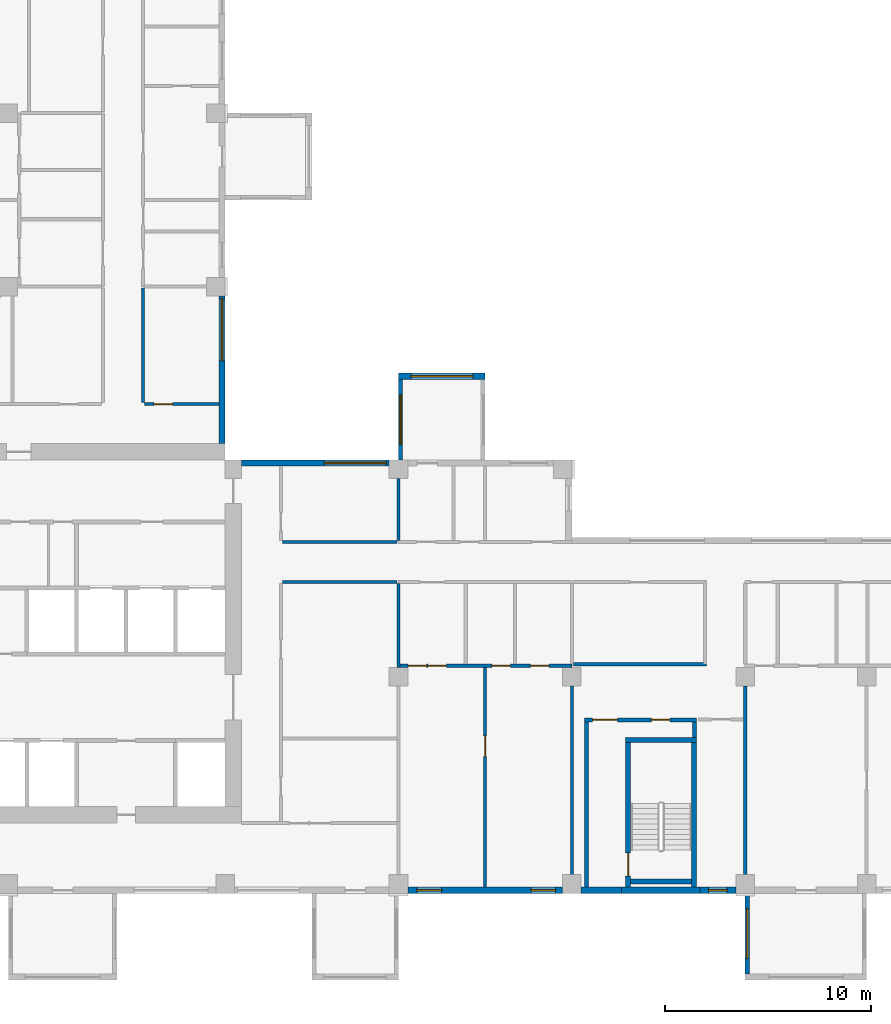
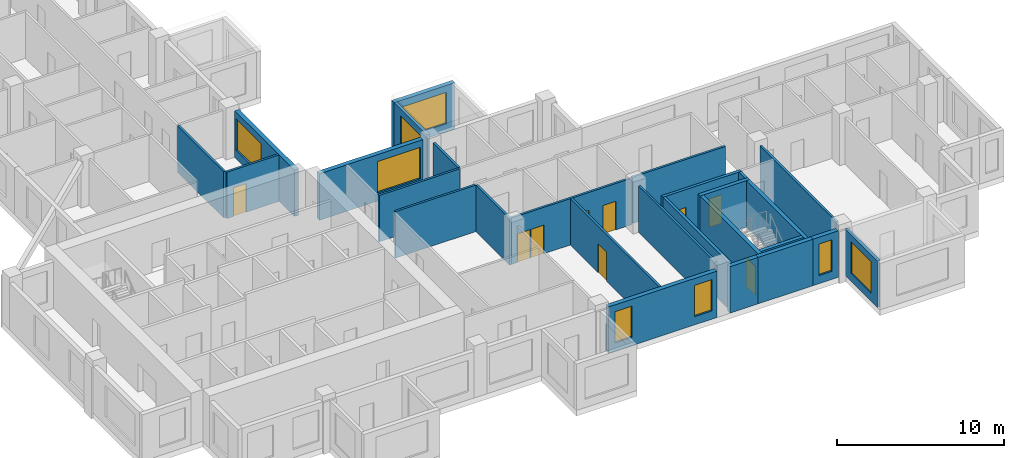
# One storey, part 4 of 12: 27 walls, 9 doors, 8 windows, 17 openings.
"""IFC4 building model written with IfcOpenShell, lengths in metres."""

from ifc_helpers import new_model, si_unit, direction, frame, frame_2d, origin, place, context, subcontext, project, spatial, rectangle, extrude, source, transform, mapped, material, layer, layer_set, type_object, element, fill, save


model = new_model("IFC4")

# Units and contexts
model_context = context("Model", 3, precision=1e-05, world=origin(), true_north=direction((0.0, 1.0)))
body_context = subcontext(model_context, "Body", "Model", "MODEL_VIEW")
ifc_project = project(units=[si_unit("LENGTHUNIT", "METRE"), si_unit("AREAUNIT", "SQUARE_METRE"), si_unit("VOLUMEUNIT", "CUBIC_METRE"), si_unit("PLANEANGLEUNIT", "RADIAN"), si_unit("MASSUNIT", "GRAM", prefix="KILO")], contexts=[model_context])

# Site, building, storey
site_placement = place(None, origin())
site = spatial("IfcSite", under=ifc_project, at=site_placement, CompositionType="ELEMENT")
building_placement = place(site_placement, origin())
building = spatial("IfcBuilding", under=site, at=building_placement, Name="Aurelian Terraces", CompositionType="ELEMENT")
storey_placement = place(building_placement, frame((0.0, 0.0, 181.6)))
storey = spatial("IfcBuildingStorey", under=building, at=storey_placement, Name="L39", CompositionType="ELEMENT", Elevation=181.6)

# Wall, opening, window
ifc_material_1 = material(Name="Concrete fc' 40 MPa", Category="concrete")
ifc_layer_1 = layer(ifc_material_1, 0.2)
ifc_layer_set_1 = layer_set([ifc_layer_1], Name="BOX BEARING WALL 200")
wall_type_1 = type_object("IfcWallType", Name="BOX BEARING WALL 200", PredefinedType="SOLIDWALL", material=ifc_layer_set_1)
wall_1_placement = place(storey_placement, frame((46.3, 0.0, 0.0), z_axis=(0.0, 0.0, 1.0), x_axis=(0.0, -1.0, 0.0)))
wall_1 = element("IfcWall", 1, at=wall_1_placement, inside=storey, type_object=wall_type_1, Name="Box return L39 J51.1", PredefinedType="SOLIDWALL", context=body_context, shape_type="SweptSolid", body=[
    extrude(rectangle(XDim=3.9, YDim=0.2, at=frame_2d((1.95, 0.0))), origin(), (0.0, 0.0, 1.0), 3.4),
])
shared_shape_1 = source(origin(), body_context, "Body", "SweptSolid", [
    extrude(rectangle(XDim=2.4, YDim=2.3, at=frame_2d((1.2, 1.15))), frame((0.0, 0.11, 0.0), z_axis=(0.0, -1.0, 0.0), x_axis=(1.0, 0.0, 0.0)), (0.0, 0.0, 1.0), 0.22),
])
opening_1_placement = place(wall_1_placement, frame((0.75, 0.0, 0.6)))
opening_1 = element("IfcOpeningElement", 2, at=opening_1_placement, cuts=wall_1, Name="Opening W2423", PredefinedType="OPENING", context=body_context, shape_type="MappedRepresentation", body=[
    mapped(shared_shape_1, transform((0.0, 0.0, 0.0), scale=1.0)),
])
ifc_material_2 = material(Name="Clear glazing", Category="glass")
window_type_1 = type_object("IfcWindowType", Name="W-2400x2300", PartitioningType="SINGLE_PANEL", PredefinedType="WINDOW", material=ifc_material_2)
shared_shape_2 = source(origin(), body_context, "Body", "SweptSolid", [
    extrude(rectangle(XDim=2.4, YDim=2.3, at=frame_2d((1.2, 1.15))), frame((0.0, 0.03, 0.0), z_axis=(0.0, -1.0, 0.0), x_axis=(1.0, 0.0, 0.0)), (0.0, 0.0, 1.0), 0.06),
])
window_1_placement = place(opening_1_placement, origin())
window_1 = element("IfcWindow", 3, at=window_1_placement, inside=storey, type_object=window_type_1, Name="Window L39 J51-S1", OverallHeight=2.3, OverallWidth=2.4, PartitioningType="SINGLE_PANEL", PredefinedType="WINDOW", context=body_context, shape_type="MappedRepresentation", body=[
    mapped(shared_shape_2, transform((0.0, 0.0, 0.0), scale=1.0)),
])
fill(opening_1, window_1)

ifc_layer_2 = layer(ifc_material_1, 0.3)
ifc_layer_set_2 = layer_set([ifc_layer_2], Name="BOX BEARING WALL 300")
wall_type_2 = type_object("IfcWallType", Name="BOX BEARING WALL 300", PredefinedType="SOLIDWALL", material=ifc_layer_set_2)
wall_2_placement = place(storey_placement, frame((33.6, 25.05, 0.0), z_axis=(0.0, 0.0, 1.0), x_axis=(-1.0, 0.0, 0.0)))
wall_2 = element("IfcWall", 4, at=wall_2_placement, inside=storey, type_object=wall_type_2, Name="Box wall L39 J52", PredefinedType="SOLIDWALL", context=body_context, shape_type="SweptSolid", body=[
    extrude(rectangle(XDim=4.2, YDim=0.3, at=frame_2d((2.1, 0.0))), origin(), (0.0, 0.0, 1.0), 3.4),
])
shared_shape_3 = source(origin(), body_context, "Body", "SweptSolid", [
    extrude(rectangle(XDim=3.0, YDim=2.3, at=frame_2d((1.5, 1.15))), frame((0.0, 0.16, 0.0), z_axis=(0.0, -1.0, 0.0), x_axis=(1.0, 0.0, 0.0)), (0.0, 0.0, 1.0), 0.32),
])
opening_2_placement = place(wall_2_placement, frame((0.6, 0.0, 0.6)))
opening_2 = element("IfcOpeningElement", 5, at=opening_2_placement, cuts=wall_2, Name="Opening W3023", PredefinedType="OPENING", context=body_context, shape_type="MappedRepresentation", body=[
    mapped(shared_shape_3, transform((0.0, 0.0, 0.0), scale=1.0)),
])
window_type_2 = type_object("IfcWindowType", Name="W-3000x2300", PartitioningType="SINGLE_PANEL", PredefinedType="WINDOW", material=ifc_material_2)
shared_shape_4 = source(origin(), body_context, "Body", "SweptSolid", [
    extrude(rectangle(XDim=3.0, YDim=2.3, at=frame_2d((1.5, 1.15))), frame((0.0, 0.03, 0.0), z_axis=(0.0, -1.0, 0.0), x_axis=(1.0, 0.0, 0.0)), (0.0, 0.0, 1.0), 0.06),
])
window_2_placement = place(opening_2_placement, origin())
window_2 = element("IfcWindow", 6, at=window_2_placement, inside=storey, type_object=window_type_2, Name="Window L39 J52-F1", OverallHeight=2.3, OverallWidth=3.0, PartitioningType="SINGLE_PANEL", PredefinedType="WINDOW", context=body_context, shape_type="MappedRepresentation", body=[
    mapped(shared_shape_4, transform((0.0, 0.0, 0.0), scale=1.0)),
])
fill(opening_2, window_2)

ifc_material_3 = material(Name="Terracotta rainscreen cladding", Category="masonry")
ifc_layer_3 = layer(ifc_material_3, 0.3)
ifc_layer_set_3 = layer_set([ifc_layer_3], Name="EW-300")
wall_type_3 = type_object("IfcWallType", Name="EW-300", PredefinedType="STANDARD", material=ifc_layer_set_3)
shared_shape_5 = source(origin(), body_context, "Body", "SweptSolid", [
    extrude(rectangle(XDim=7.15, YDim=0.3, at=frame_2d((3.575, 0.0))), origin(), (0.0, 0.0, 1.0), 3.4),
])
wall_3_placement = place(storey_placement, frame((28.95, 20.85, 0.0), z_axis=(0.0, 0.0, 1.0), x_axis=(-1.0, 0.0, 0.0)))
wall_3 = element("IfcWall", 7, at=wall_3_placement, inside=storey, type_object=wall_type_3, Name="External wall L39 F07.17", PredefinedType="STANDARD", context=body_context, shape_type="MappedRepresentation", body=[
    mapped(shared_shape_5, transform((0.0, 0.0, 0.0), scale=1.0)),
])
opening_3_placement = place(wall_3_placement, frame((0.15, 0.0, 0.6)))
opening_3 = element("IfcOpeningElement", 8, at=opening_3_placement, cuts=wall_3, Name="Opening W3023", PredefinedType="OPENING", context=body_context, shape_type="MappedRepresentation", body=[
    mapped(shared_shape_3, transform((0.0, 0.0, 0.0), scale=1.0)),
])
window_3_placement = place(opening_3_placement, origin())
window_3 = element("IfcWindow", 9, at=window_3_placement, inside=storey, type_object=window_type_2, Name="Window L39 L39-F07-17-0", OverallHeight=2.3, OverallWidth=3.0, PartitioningType="SINGLE_PANEL", PredefinedType="WINDOW", context=body_context, shape_type="MappedRepresentation", body=[
    mapped(shared_shape_4, transform((0.0, 0.0, 0.0), scale=1.0)),
])
fill(opening_3, window_3)

wall_4_placement = place(storey_placement, frame((20.85, 21.8, 0.0), z_axis=(0.0, 0.0, 1.0), x_axis=(0.0, 1.0, 0.0)))
wall_4 = element("IfcWall", 10, at=wall_4_placement, inside=storey, type_object=wall_type_3, Name="External wall L39 F08.18", PredefinedType="STANDARD", context=body_context, shape_type="MappedRepresentation", body=[
    mapped(shared_shape_5, transform((0.0, 0.0, 0.0), scale=1.0)),
])
opening_4_placement = place(wall_4_placement, frame((4.0, 0.0, 0.6)))
opening_4 = element("IfcOpeningElement", 11, at=opening_4_placement, cuts=wall_4, Name="Opening W3023", PredefinedType="OPENING", context=body_context, shape_type="MappedRepresentation", body=[
    mapped(shared_shape_3, transform((0.0, 0.0, 0.0), scale=1.0)),
])
window_4_placement = place(opening_4_placement, origin())
window_4 = element("IfcWindow", 12, at=window_4_placement, inside=storey, type_object=window_type_2, Name="Window L39 L39-F08-18-1", OverallHeight=2.3, OverallWidth=3.0, PartitioningType="SINGLE_PANEL", PredefinedType="WINDOW", context=body_context, shape_type="MappedRepresentation", body=[
    mapped(shared_shape_4, transform((0.0, 0.0, 0.0), scale=1.0)),
])
fill(opening_4, window_4)

# Wall, openings, windows
shared_shape_6 = source(origin(), body_context, "Body", "SweptSolid", [
    extrude(rectangle(XDim=7.5, YDim=0.3, at=frame_2d((3.75, 0.0))), origin(), (0.0, 0.0, 1.0), 3.4),
])
wall_5_placement = place(storey_placement, frame((29.85, 0.15, 0.0), z_axis=(0.0, 0.0, 1.0), x_axis=(1.0, 0.0, 0.0)))
wall_5 = element("IfcWall", 13, at=wall_5_placement, inside=storey, type_object=wall_type_3, Name="External wall L39 F01.4", PredefinedType="STANDARD", context=body_context, shape_type="MappedRepresentation", body=[
    mapped(shared_shape_6, transform((0.0, 0.0, 0.0), scale=1.0)),
])
shared_shape_7 = source(origin(), body_context, "Body", "SweptSolid", [
    extrude(rectangle(XDim=1.2, YDim=2.3, at=frame_2d((0.6, 1.15))), frame((0.0, 0.16, 0.0), z_axis=(0.0, -1.0, 0.0), x_axis=(1.0, 0.0, 0.0)), (0.0, 0.0, 1.0), 0.32),
])
opening_5_placement = place(wall_5_placement, frame((0.4375, 0.0, 0.6)))
opening_5 = element("IfcOpeningElement", 14, at=opening_5_placement, cuts=wall_5, Name="Opening W1223", PredefinedType="OPENING", context=body_context, shape_type="MappedRepresentation", body=[
    mapped(shared_shape_7, transform((0.0, 0.0, 0.0), scale=1.0)),
])
opening_6_placement = place(wall_5_placement, frame((5.9625, 0.0, 0.6)))
opening_6 = element("IfcOpeningElement", 15, at=opening_6_placement, cuts=wall_5, Name="Opening W1223", PredefinedType="OPENING", context=body_context, shape_type="MappedRepresentation", body=[
    mapped(shared_shape_7, transform((0.0, 0.0, 0.0), scale=1.0)),
])
window_type_3 = type_object("IfcWindowType", Name="W-1200x2300", PartitioningType="SINGLE_PANEL", PredefinedType="WINDOW", material=ifc_material_2)
shared_shape_8 = source(origin(), body_context, "Body", "SweptSolid", [
    extrude(rectangle(XDim=1.2, YDim=2.3, at=frame_2d((0.6, 1.15))), frame((0.0, 0.03, 0.0), z_axis=(0.0, -1.0, 0.0), x_axis=(1.0, 0.0, 0.0)), (0.0, 0.0, 1.0), 0.06),
])
window_5_placement = place(opening_5_placement, origin())
window_5 = element("IfcWindow", 16, at=window_5_placement, inside=storey, type_object=window_type_3, Name="Window L39 L39-F01-04-0", OverallHeight=2.3, OverallWidth=1.2, PartitioningType="SINGLE_PANEL", PredefinedType="WINDOW", context=body_context, shape_type="MappedRepresentation", body=[
    mapped(shared_shape_8, transform((0.0, 0.0, 0.0), scale=1.0)),
])
fill(opening_5, window_5)
window_6_placement = place(opening_6_placement, origin())
window_6 = element("IfcWindow", 17, at=window_6_placement, inside=storey, type_object=window_type_3, Name="Window L39 L39-F01-04-1", OverallHeight=2.3, OverallWidth=1.2, PartitioningType="SINGLE_PANEL", PredefinedType="WINDOW", context=body_context, shape_type="MappedRepresentation", body=[
    mapped(shared_shape_8, transform((0.0, 0.0, 0.0), scale=1.0)),
])
fill(opening_6, window_6)

# Wall, opening, window
shared_shape_9 = source(origin(), body_context, "Body", "SweptSolid", [
    extrude(rectangle(XDim=3.9, YDim=0.2, at=frame_2d((1.95, 0.0))), origin(), (0.0, 0.0, 1.0), 3.4),
])
wall_6_placement = place(storey_placement, frame((29.5, 21.0, 0.0), z_axis=(0.0, 0.0, 1.0), x_axis=(0.0, 1.0, 0.0)))
wall_6 = element("IfcWall", 18, at=wall_6_placement, inside=storey, type_object=wall_type_1, Name="Box return L39 J52.2", PredefinedType="SOLIDWALL", context=body_context, shape_type="MappedRepresentation", body=[
    mapped(shared_shape_9, transform((0.0, 0.0, 0.0), scale=1.0)),
])
opening_7_placement = place(wall_6_placement, frame((0.75, 0.0, 0.6)))
opening_7 = element("IfcOpeningElement", 19, at=opening_7_placement, cuts=wall_6, Name="Opening W2423", PredefinedType="OPENING", context=body_context, shape_type="MappedRepresentation", body=[
    mapped(shared_shape_1, transform((0.0, 0.0, 0.0), scale=1.0)),
])
window_7_placement = place(opening_7_placement, origin())
window_7 = element("IfcWindow", 20, at=window_7_placement, inside=storey, type_object=window_type_1, Name="Window L39 J52-S2", OverallHeight=2.3, OverallWidth=2.4, PartitioningType="SINGLE_PANEL", PredefinedType="WINDOW", context=body_context, shape_type="MappedRepresentation", body=[
    mapped(shared_shape_2, transform((0.0, 0.0, 0.0), scale=1.0)),
])
fill(opening_7, window_7)

# Walls
shared_shape_10 = source(origin(), body_context, "Body", "SweptSolid", [
    extrude(rectangle(XDim=1.95, YDim=0.3, at=frame_2d((0.975, 0.0))), origin(), (0.0, 0.0, 1.0), 3.4),
])
wall_7_placement = place(storey_placement, frame((38.25, 0.15, 0.0), z_axis=(0.0, 0.0, 1.0), x_axis=(1.0, 0.0, 0.0)))
element("IfcWall", 21, at=wall_7_placement, inside=storey, type_object=wall_type_3, Name="External wall L39 F01.5", PredefinedType="STANDARD", context=body_context, shape_type="MappedRepresentation", body=[
    mapped(shared_shape_10, transform((0.0, 0.0, 0.0), scale=1.0)),
])
ifc_layer_4 = layer(ifc_material_1, 0.3)
ifc_layer_set_4 = layer_set([ifc_layer_4], Name="STAIR BAY WALL 300")
wall_type_4 = type_object("IfcWallType", Name="STAIR BAY WALL 300", PredefinedType="SOLIDWALL", material=ifc_layer_set_4)
shared_shape_11 = source(origin(), body_context, "Body", "SweptSolid", [
    extrude(rectangle(XDim=3.8, YDim=0.3, at=frame_2d((1.9, 0.0))), origin(), (0.0, 0.0, 1.0), 3.4),
])
wall_8_placement = place(storey_placement, frame((40.2, 0.15, 0.0), z_axis=(0.0, 0.0, 1.0), x_axis=(1.0, 0.0, 0.0)))
element("IfcWall", 22, at=wall_8_placement, inside=storey, type_object=wall_type_4, Name="Stair bay wall L39 F01.5", PredefinedType="SOLIDWALL", context=body_context, shape_type="MappedRepresentation", body=[
    mapped(shared_shape_11, transform((0.0, 0.0, 0.0), scale=1.0)),
])

# Wall, opening, window
shared_shape_12 = source(origin(), body_context, "Body", "SweptSolid", [
    extrude(rectangle(XDim=1.75, YDim=0.3, at=frame_2d((0.875, 0.0))), origin(), (0.0, 0.0, 1.0), 3.4),
])
wall_9_placement = place(storey_placement, frame((44.0, 0.15, 0.0), z_axis=(0.0, 0.0, 1.0), x_axis=(1.0, 0.0, 0.0)))
wall_9 = element("IfcWall", 23, at=wall_9_placement, inside=storey, type_object=wall_type_3, Name="External wall L39 F01.5", PredefinedType="STANDARD", context=body_context, shape_type="MappedRepresentation", body=[
    mapped(shared_shape_12, transform((0.0, 0.0, 0.0), scale=1.0)),
])
shared_shape_13 = source(origin(), body_context, "Body", "SweptSolid", [
    extrude(rectangle(XDim=0.9, YDim=2.3, at=frame_2d((0.45, 1.15))), frame((0.0, 0.16, 0.0), z_axis=(0.0, -1.0, 0.0), x_axis=(1.0, 0.0, 0.0)), (0.0, 0.0, 1.0), 0.32),
])
opening_8_placement = place(wall_9_placement, frame((0.425, 0.0, 0.6)))
opening_8 = element("IfcOpeningElement", 24, at=opening_8_placement, cuts=wall_9, Name="Opening W0923", PredefinedType="OPENING", context=body_context, shape_type="MappedRepresentation", body=[
    mapped(shared_shape_13, transform((0.0, 0.0, 0.0), scale=1.0)),
])
window_type_4 = type_object("IfcWindowType", Name="W-900x2300", PartitioningType="SINGLE_PANEL", PredefinedType="WINDOW", material=ifc_material_2)
shared_shape_14 = source(origin(), body_context, "Body", "SweptSolid", [
    extrude(rectangle(XDim=0.9, YDim=2.3, at=frame_2d((0.45, 1.15))), frame((0.0, 0.03, 0.0), z_axis=(0.0, -1.0, 0.0), x_axis=(1.0, 0.0, 0.0)), (0.0, 0.0, 1.0), 0.06),
])
window_8_placement = place(opening_8_placement, origin())
window_8 = element("IfcWindow", 25, at=window_8_placement, inside=storey, type_object=window_type_4, Name="Window L39 L39-F01-05-P2", OverallHeight=2.3, OverallWidth=0.9, PartitioningType="SINGLE_PANEL", PredefinedType="WINDOW", context=body_context, shape_type="MappedRepresentation", body=[
    mapped(shared_shape_14, transform((0.0, 0.0, 0.0), scale=1.0)),
])
fill(opening_8, window_8)

# Wall, opening, door
ifc_layer_5 = layer(ifc_material_1, 0.25)
ifc_layer_set_5 = layer_set([ifc_layer_5], Name="Stair enclosure wall 250")
wall_type_5 = type_object("IfcWallType", Name="Stair enclosure wall 250", PredefinedType="SOLIDWALL", material=ifc_layer_set_5)
shared_shape_15 = source(origin(), body_context, "Body", "SweptSolid", [
    extrude(rectangle(XDim=7.0, YDim=0.25, at=frame_2d((3.5, 0.0))), origin(), (0.0, 0.0, 1.0), 3.4),
])
wall_10_placement = place(storey_placement, frame((40.525, 0.3, 0.0), z_axis=(0.0, 0.0, 1.0), x_axis=(0.0, 1.0, 0.0)))
wall_10 = element("IfcWall", 26, at=wall_10_placement, inside=storey, type_object=wall_type_5, Name="L39 core wall ST-S2-W", PredefinedType="SOLIDWALL", context=body_context, shape_type="MappedRepresentation", body=[
    mapped(shared_shape_15, transform((0.0, 0.0, 0.0), scale=1.0)),
])
shared_shape_16 = source(origin(), body_context, "Body", "SweptSolid", [
    extrude(rectangle(XDim=1.1, YDim=2.1, at=frame_2d((0.55, 1.05))), frame((0.0, 0.135, 0.0), z_axis=(0.0, -1.0, 0.0), x_axis=(1.0, 0.0, 0.0)), (0.0, 0.0, 1.0), 0.27),
])
opening_9_placement = place(wall_10_placement, frame((0.55, 0.0, 0.0)))
opening_9 = element("IfcOpeningElement", 27, at=opening_9_placement, cuts=wall_10, Name="Opening 64215", PredefinedType="OPENING", context=body_context, shape_type="MappedRepresentation", body=[
    mapped(shared_shape_16, transform((0.0, 0.0, 0.0), scale=1.0)),
])
ifc_material_4 = material(Name="Steel door leaf", Category="steel")
door_type_1 = type_object("IfcDoorType", Name="Core fire door 1100x2100 right", OperationType="SINGLE_SWING_RIGHT", PredefinedType="DOOR", material=ifc_material_4)
shared_shape_17 = source(origin(), body_context, "Body", "SweptSolid", [
    extrude(rectangle(XDim=1.1, YDim=2.1, at=frame_2d((0.55, 1.05))), frame((0.0, 0.025, 0.0), z_axis=(0.0, -1.0, 0.0), x_axis=(1.0, 0.0, 0.0)), (0.0, 0.0, 1.0), 0.05),
])
door_1_placement = place(opening_9_placement, origin())
door_1 = element("IfcDoor", 28, at=door_1_placement, inside=storey, type_object=door_type_1, Name="Stair door 64215", OperationType="SINGLE_SWING_RIGHT", OverallHeight=2.1, OverallWidth=1.1, PredefinedType="DOOR", context=body_context, shape_type="MappedRepresentation", body=[
    mapped(shared_shape_17, transform((0.0, 0.0, 0.0), scale=1.0)),
])
fill(opening_9, door_1)

# Walls
wall_11_placement = place(storey_placement, frame((43.725, 0.3, 0.0), z_axis=(0.0, 0.0, 1.0), x_axis=(0.0, 1.0, 0.0)))
element("IfcWall", 29, at=wall_11_placement, inside=storey, type_object=wall_type_5, Name="L39 core wall ST-S2-E", PredefinedType="SOLIDWALL", context=body_context, shape_type="MappedRepresentation", body=[
    mapped(shared_shape_15, transform((0.0, 0.0, 0.0), scale=1.0)),
])
shared_shape_18 = source(origin(), body_context, "Body", "SweptSolid", [
    extrude(rectangle(XDim=3.45, YDim=0.25, at=frame_2d((1.725, 0.0))), origin(), (0.0, 0.0, 1.0), 3.4),
])
wall_12_placement = place(storey_placement, frame((40.4, 7.425, 0.0), z_axis=(0.0, 0.0, 1.0), x_axis=(1.0, 0.0, 0.0)))
element("IfcWall", 30, at=wall_12_placement, inside=storey, type_object=wall_type_5, Name="L39 core wall ST-S2-N", PredefinedType="SOLIDWALL", context=body_context, shape_type="MappedRepresentation", body=[
    mapped(shared_shape_18, transform((0.0, 0.0, 0.0), scale=1.0)),
])
shared_shape_19 = source(origin(), body_context, "Body", "SweptSolid", [
    extrude(rectangle(XDim=2.95, YDim=0.25, at=frame_2d((1.475, 0.0))), origin(), (0.0, 0.0, 1.0), 3.4),
])
wall_13_placement = place(storey_placement, frame((40.65, 0.575, 0.0), z_axis=(0.0, 0.0, 1.0), x_axis=(1.0, 0.0, 0.0)))
element("IfcWall", 31, at=wall_13_placement, inside=storey, type_object=wall_type_5, Name="L39 core wall ST-S2-SS", PredefinedType="SOLIDWALL", context=body_context, shape_type="MappedRepresentation", body=[
    mapped(shared_shape_19, transform((0.0, 0.0, 0.0), scale=1.0)),
])

# Wall, openings, doors
ifc_material_5 = material(Name="Gypsum board on steel studs", Category="steel")
ifc_layer_6 = layer(ifc_material_5, 0.2)
ifc_layer_set_6 = layer_set([ifc_layer_6], Name="Core partition 200")
wall_type_6 = type_object("IfcWallType", Name="Core partition 200", PredefinedType="PARTITIONING", material=ifc_layer_set_6)
shared_shape_20 = source(origin(), body_context, "Body", "SweptSolid", [
    extrude(rectangle(XDim=5.45, YDim=0.2, at=frame_2d((2.725, 0.0))), origin(), (0.0, 0.0, 1.0), 3.4),
])
wall_14_placement = place(storey_placement, frame((38.4, 8.4, 0.0), z_axis=(0.0, 0.0, 1.0), x_axis=(1.0, 0.0, 0.0)))
wall_14 = element("IfcWall", 32, at=wall_14_placement, inside=storey, type_object=wall_type_6, Name="L39 core wall ST-S2-BN", PredefinedType="PARTITIONING", context=body_context, shape_type="MappedRepresentation", body=[
    mapped(shared_shape_20, transform((0.0, 0.0, 0.0), scale=1.0)),
])
shared_shape_21 = source(origin(), body_context, "Body", "SweptSolid", [
    extrude(rectangle(XDim=1.2, YDim=2.1, at=frame_2d((0.6, 1.05))), frame((0.0, 0.11, 0.0), z_axis=(0.0, -1.0, 0.0), x_axis=(1.0, 0.0, 0.0)), (0.0, 0.0, 1.0), 0.22),
])
opening_10_placement = place(wall_14_placement, frame((0.4, 0.0, 0.0)))
opening_10 = element("IfcOpeningElement", 33, at=opening_10_placement, cuts=wall_14, Name="Opening 64216", PredefinedType="OPENING", context=body_context, shape_type="MappedRepresentation", body=[
    mapped(shared_shape_21, transform((0.0, 0.0, 0.0), scale=1.0)),
])
shared_shape_22 = source(origin(), body_context, "Body", "SweptSolid", [
    extrude(rectangle(XDim=0.9, YDim=2.1, at=frame_2d((0.45, 1.05))), frame((0.0, 0.11, 0.0), z_axis=(0.0, -1.0, 0.0), x_axis=(1.0, 0.0, 0.0)), (0.0, 0.0, 1.0), 0.22),
])
opening_11_placement = place(wall_14_placement, frame((3.25, 0.0, 0.0)))
opening_11 = element("IfcOpeningElement", 34, at=opening_11_placement, cuts=wall_14, Name="Opening 64217", PredefinedType="OPENING", context=body_context, shape_type="MappedRepresentation", body=[
    mapped(shared_shape_22, transform((0.0, 0.0, 0.0), scale=1.0)),
])
door_type_2 = type_object("IfcDoorType", Name="Core riser door 900x2100 right", OperationType="SINGLE_SWING_RIGHT", PredefinedType="DOOR", material=ifc_material_4)
shared_shape_23 = source(origin(), body_context, "Body", "SweptSolid", [
    extrude(rectangle(XDim=0.9, YDim=2.1, at=frame_2d((0.45, 1.05))), frame((0.0, 0.025, 0.0), z_axis=(0.0, -1.0, 0.0), x_axis=(1.0, 0.0, 0.0)), (0.0, 0.0, 1.0), 0.05),
])
door_2_placement = place(opening_11_placement, origin())
door_2 = element("IfcDoor", 35, at=door_2_placement, inside=storey, type_object=door_type_2, Name="Riser door 64217", OperationType="SINGLE_SWING_RIGHT", OverallHeight=2.1, OverallWidth=0.9, PredefinedType="DOOR", context=body_context, shape_type="MappedRepresentation", body=[
    mapped(shared_shape_23, transform((0.0, 0.0, 0.0), scale=1.0)),
])
fill(opening_11, door_2)
door_type_3 = type_object("IfcDoorType", Name="Core fire door 1200x2100", OperationType="SINGLE_SWING_LEFT", PredefinedType="DOOR", material=ifc_material_4)
shared_shape_24 = source(origin(), body_context, "Body", "SweptSolid", [
    extrude(rectangle(XDim=1.2, YDim=2.1, at=frame_2d((0.6, 1.05))), frame((0.0, 0.025, 0.0), z_axis=(0.0, -1.0, 0.0), x_axis=(1.0, 0.0, 0.0)), (0.0, 0.0, 1.0), 0.05),
])
door_3_placement = place(opening_10_placement, origin())
door_3 = element("IfcDoor", 36, at=door_3_placement, inside=storey, type_object=door_type_3, Name="Vestibule door 64216", OperationType="SINGLE_SWING_LEFT", OverallHeight=2.1, OverallWidth=1.2, PredefinedType="DOOR", context=body_context, shape_type="MappedRepresentation", body=[
    mapped(shared_shape_24, transform((0.0, 0.0, 0.0), scale=1.0)),
])
fill(opening_10, door_3)

# Walls
shared_shape_25 = source(origin(), body_context, "Body", "SweptSolid", [
    extrude(rectangle(XDim=0.75, YDim=0.2, at=frame_2d((0.375, 0.0))), origin(), (0.0, 0.0, 1.0), 3.4),
])
wall_15_placement = place(storey_placement, frame((43.75, 7.55, 0.0), z_axis=(0.0, 0.0, 1.0), x_axis=(0.0, 1.0, 0.0)))
element("IfcWall", 37, at=wall_15_placement, inside=storey, type_object=wall_type_6, Name="L39 core wall ST-S2-RE", PredefinedType="PARTITIONING", context=body_context, shape_type="MappedRepresentation", body=[
    mapped(shared_shape_25, transform((0.0, 0.0, 0.0), scale=1.0)),
])
shared_shape_26 = source(origin(), body_context, "Body", "SweptSolid", [
    extrude(rectangle(XDim=8.0, YDim=0.2, at=frame_2d((4.0, 0.0))), origin(), (0.0, 0.0, 1.0), 3.4),
])
wall_16_placement = place(storey_placement, frame((38.5, 0.3, 0.0), z_axis=(0.0, 0.0, 1.0), x_axis=(0.0, 1.0, 0.0)))
element("IfcWall", 38, at=wall_16_placement, inside=storey, type_object=wall_type_6, Name="L39 core wall ST-S2-VW", PredefinedType="PARTITIONING", context=body_context, shape_type="MappedRepresentation", body=[
    mapped(shared_shape_26, transform((0.0, 0.0, 0.0), scale=1.0)),
])
ifc_layer_7 = layer(ifc_material_5, 0.15)
ifc_layer_set_7 = layer_set([ifc_layer_7], Name="Fire partition 150")
wall_type_7 = type_object("IfcWallType", Name="Fire partition 150", PredefinedType="PARTITIONING", material=ifc_layer_set_7)
shared_shape_27 = source(origin(), body_context, "Body", "SweptSolid", [
    extrude(rectangle(XDim=5.55, YDim=0.15, at=frame_2d((2.775, 0.0))), origin(), (0.0, 0.0, 1.0), 3.4),
])
for number, where, z_axis, x_axis, name in (
    (39, (29.325, 15.075, 0.0), (0.0, 0.0, 1.0), (-1.0, 0.0, 0.0), "Corridor wall"),
    (40, (23.775, 17.025, 0.0), (0.0, 0.0, 1.0), (1.0, 0.0, 0.0), "Corridor wall"),
    (41, (17.025, 29.325, 0.0), (0.0, 0.0, 1.0), (0.0, -1.0, 0.0), "Corridor wall"),
):
    element("IfcWall", number, at=place(storey_placement, frame(where, z_axis=z_axis, x_axis=x_axis)), inside=storey, type_object=wall_type_7, Name=name, PredefinedType="PARTITIONING", context=body_context, shape_type="MappedRepresentation", body=[
        mapped(shared_shape_27, transform((0.0, 0.0, 0.0), scale=1.0)),
    ])
ifc_layer_8 = layer(ifc_material_5, 0.15)
ifc_layer_set_8 = layer_set([ifc_layer_8], Name="Partition 150")
wall_type_8 = type_object("IfcWallType", Name="Partition 150", PredefinedType="PARTITIONING", material=ifc_layer_set_8)
shared_shape_28 = source(origin(), body_context, "Body", "SweptSolid", [
    extrude(rectangle(XDim=6.45, YDim=0.15, at=frame_2d((3.225, 0.0))), origin(), (0.0, 0.0, 1.0), 3.4),
])
wall_17_placement = place(storey_placement, frame((37.875, 11.1, 0.0), z_axis=(0.0, 0.0, 1.0), x_axis=(1.0, 0.0, 0.0)))
element("IfcWall", 42, at=wall_17_placement, inside=storey, type_object=wall_type_8, Name="Partition", PredefinedType="PARTITIONING", context=body_context, shape_type="MappedRepresentation", body=[
    mapped(shared_shape_28, transform((0.0, 0.0, 0.0), scale=1.0)),
])
shared_shape_29 = source(origin(), body_context, "Body", "SweptSolid", [
    extrude(rectangle(XDim=9.152, YDim=0.15, at=frame_2d((4.576, 0.0))), origin(), (0.0, 0.0, 1.0), 3.4),
])
for number, where, z_axis, x_axis, name in (
    (43, (37.8, 0.899, 0.0), (0.0, 0.0, 1.0), (0.0, 1.0, 0.0), "Party wall"),
    (44, (46.2, 0.899, 0.0), (0.0, 0.0, 1.0), (0.0, 1.0, 0.0), "Party wall"),
):
    element("IfcWall", number, at=place(storey_placement, frame(where, z_axis=z_axis, x_axis=x_axis)), inside=storey, type_object=wall_type_7, Name=name, PredefinedType="PARTITIONING", context=body_context, shape_type="MappedRepresentation", body=[
        mapped(shared_shape_29, transform((0.0, 0.0, 0.0), scale=1.0)),
    ])

# Wall, opening, door
shared_shape_30 = source(origin(), body_context, "Body", "SweptSolid", [
    extrude(rectangle(XDim=3.6, YDim=0.15, at=frame_2d((1.8, 0.0))), origin(), (0.0, 0.0, 1.0), 3.4),
])
wall_18_placement = place(storey_placement, frame((17.1, 23.7, 0.0), z_axis=(0.0, 0.0, 1.0), x_axis=(1.0, 0.0, 0.0)))
wall_18 = element("IfcWall", 45, at=wall_18_placement, inside=storey, type_object=wall_type_8, Name="Partition", PredefinedType="PARTITIONING", context=body_context, shape_type="MappedRepresentation", body=[
    mapped(shared_shape_30, transform((0.0, 0.0, 0.0), scale=1.0)),
])
shared_shape_31 = source(origin(), body_context, "Body", "SweptSolid", [
    extrude(rectangle(XDim=0.9, YDim=2.1, at=frame_2d((0.45, 1.05))), frame((0.0, 0.085, 0.0), z_axis=(0.0, -1.0, 0.0), x_axis=(1.0, 0.0, 0.0)), (0.0, 0.0, 1.0), 0.17),
])
opening_12_placement = place(wall_18_placement, frame((0.45, 0.0, 0.0)))
opening_12 = element("IfcOpeningElement", 46, at=opening_12_placement, cuts=wall_18, Name="Opening 739024", PredefinedType="OPENING", context=body_context, shape_type="MappedRepresentation", body=[
    mapped(shared_shape_31, transform((0.0, 0.0, 0.0), scale=1.0)),
])
ifc_material_6 = material(Name="Timber door leaf", Category="wood")
door_type_4 = type_object("IfcDoorType", Name="Room door 900x2100 right", OperationType="SINGLE_SWING_RIGHT", PredefinedType="DOOR", material=ifc_material_6)
door_4_placement = place(opening_12_placement, origin())
door_4 = element("IfcDoor", 47, at=door_4_placement, inside=storey, type_object=door_type_4, Name="Door 739024", OperationType="SINGLE_SWING_RIGHT", OverallHeight=2.1, OverallWidth=0.9, PredefinedType="DOOR", context=body_context, shape_type="MappedRepresentation", body=[
    mapped(shared_shape_23, transform((0.0, 0.0, 0.0), scale=1.0)),
])
fill(opening_12, door_4)

# Wall, openings, doors
shared_shape_32 = source(origin(), body_context, "Body", "SweptSolid", [
    extrude(rectangle(XDim=8.4, YDim=0.15, at=frame_2d((4.2, 0.0))), origin(), (0.0, 0.0, 1.0), 3.4),
])
wall_19_placement = place(storey_placement, frame((37.8, 11.025, 0.0), z_axis=(0.0, 0.0, 1.0), x_axis=(-1.0, 0.0, 0.0)))
wall_19 = element("IfcWall", 48, at=wall_19_placement, inside=storey, type_object=wall_type_8, Name="Partition", PredefinedType="PARTITIONING", context=body_context, shape_type="MappedRepresentation", body=[
    mapped(shared_shape_32, transform((0.0, 0.0, 0.0), scale=1.0)),
])
opening_13_placement = place(wall_19_placement, frame((6.082, 0.0, 0.0)))
opening_13 = element("IfcOpeningElement", 49, at=opening_13_placement, cuts=wall_19, Name="Opening 739008", PredefinedType="OPENING", context=body_context, shape_type="MappedRepresentation", body=[
    mapped(shared_shape_31, transform((0.0, 0.0, 0.0), scale=1.0)),
])
opening_14_placement = place(wall_19_placement, frame((7.04, 0.0, 0.0)))
opening_14 = element("IfcOpeningElement", 50, at=opening_14_placement, cuts=wall_19, Name="Opening 739009", PredefinedType="OPENING", context=body_context, shape_type="MappedRepresentation", body=[
    mapped(shared_shape_31, transform((0.0, 0.0, 0.0), scale=1.0)),
])
opening_15_placement = place(wall_19_placement, frame((2.9753, 0.0, 0.0)))
opening_15 = element("IfcOpeningElement", 51, at=opening_15_placement, cuts=wall_19, Name="Opening 739011", PredefinedType="OPENING", context=body_context, shape_type="MappedRepresentation", body=[
    mapped(shared_shape_31, transform((0.0, 0.0, 0.0), scale=1.0)),
])
opening_16_placement = place(wall_19_placement, frame((1.1128, 0.0, 0.0)))
opening_16 = element("IfcOpeningElement", 52, at=opening_16_placement, cuts=wall_19, Name="Opening 739012", PredefinedType="OPENING", context=body_context, shape_type="MappedRepresentation", body=[
    mapped(shared_shape_31, transform((0.0, 0.0, 0.0), scale=1.0)),
])
door_type_5 = type_object("IfcDoorType", Name="Room door 900x2100 left", OperationType="SINGLE_SWING_LEFT", PredefinedType="DOOR", material=ifc_material_6)
door_5_placement = place(opening_13_placement, origin())
door_5 = element("IfcDoor", 53, at=door_5_placement, inside=storey, type_object=door_type_5, Name="Door 739008", OperationType="SINGLE_SWING_LEFT", OverallHeight=2.1, OverallWidth=0.9, PredefinedType="DOOR", context=body_context, shape_type="MappedRepresentation", body=[
    mapped(shared_shape_23, transform((0.0, 0.0, 0.0), scale=1.0)),
])
fill(opening_13, door_5)
door_6_placement = place(opening_14_placement, origin())
door_6 = element("IfcDoor", 54, at=door_6_placement, inside=storey, type_object=door_type_4, Name="Door 739009", OperationType="SINGLE_SWING_RIGHT", OverallHeight=2.1, OverallWidth=0.9, PredefinedType="DOOR", context=body_context, shape_type="MappedRepresentation", body=[
    mapped(shared_shape_23, transform((0.0, 0.0, 0.0), scale=1.0)),
])
fill(opening_14, door_6)
door_7_placement = place(opening_15_placement, origin())
door_7 = element("IfcDoor", 55, at=door_7_placement, inside=storey, type_object=door_type_4, Name="Door 739011", OperationType="SINGLE_SWING_RIGHT", OverallHeight=2.1, OverallWidth=0.9, PredefinedType="DOOR", context=body_context, shape_type="MappedRepresentation", body=[
    mapped(shared_shape_23, transform((0.0, 0.0, 0.0), scale=1.0)),
])
fill(opening_15, door_7)
door_8_placement = place(opening_16_placement, origin())
door_8 = element("IfcDoor", 56, at=door_8_placement, inside=storey, type_object=door_type_5, Name="Door 739012", OperationType="SINGLE_SWING_LEFT", OverallHeight=2.1, OverallWidth=0.9, PredefinedType="DOOR", context=body_context, shape_type="MappedRepresentation", body=[
    mapped(shared_shape_23, transform((0.0, 0.0, 0.0), scale=1.0)),
])
fill(opening_16, door_8)

# Walls
shared_shape_33 = source(origin(), body_context, "Body", "SweptSolid", [
    extrude(rectangle(XDim=4.051, YDim=0.15, at=frame_2d((2.0255, 0.0))), origin(), (0.0, 0.0, 1.0), 3.4),
])
wall_20_placement = place(storey_placement, frame((29.4, 10.949, 0.0), z_axis=(0.0, 0.0, 1.0), x_axis=(0.0, 1.0, 0.0)))
element("IfcWall", 57, at=wall_20_placement, inside=storey, type_object=wall_type_8, Name="Partition", PredefinedType="PARTITIONING", context=body_context, shape_type="MappedRepresentation", body=[
    mapped(shared_shape_33, transform((0.0, 0.0, 0.0), scale=1.0)),
])
shared_shape_34 = source(origin(), body_context, "Body", "SweptSolid", [
    extrude(rectangle(XDim=3.001, YDim=0.15, at=frame_2d((1.5005, 0.0))), origin(), (0.0, 0.0, 1.0), 3.4),
])
wall_21_placement = place(storey_placement, frame((29.4, 17.1, 0.0), z_axis=(0.0, 0.0, 1.0), x_axis=(0.0, 1.0, 0.0)))
element("IfcWall", 58, at=wall_21_placement, inside=storey, type_object=wall_type_8, Name="Partition", PredefinedType="PARTITIONING", context=body_context, shape_type="MappedRepresentation", body=[
    mapped(shared_shape_34, transform((0.0, 0.0, 0.0), scale=1.0)),
])

# Wall, opening, door
shared_shape_35 = source(origin(), body_context, "Body", "SweptSolid", [
    extrude(rectangle(XDim=10.65, YDim=0.15, at=frame_2d((5.325, 0.0))), origin(), (0.0, 0.0, 1.0), 3.4),
])
wall_22_placement = place(storey_placement, frame((33.6, 0.3, 0.0), z_axis=(0.0, 0.0, 1.0), x_axis=(0.0, 1.0, 0.0)))
wall_22 = element("IfcWall", 59, at=wall_22_placement, inside=storey, type_object=wall_type_8, Name="Partition", PredefinedType="PARTITIONING", context=body_context, shape_type="MappedRepresentation", body=[
    mapped(shared_shape_35, transform((0.0, 0.0, 0.0), scale=1.0)),
])
shared_shape_36 = source(origin(), body_context, "Body", "SweptSolid", [
    extrude(rectangle(XDim=1.0, YDim=2.1, at=frame_2d((0.5, 1.05))), frame((0.0, 0.085, 0.0), z_axis=(0.0, -1.0, 0.0), x_axis=(1.0, 0.0, 0.0)), (0.0, 0.0, 1.0), 0.17),
])
opening_17_placement = place(wall_22_placement, frame((6.325, 0.0, 0.0)))
opening_17 = element("IfcOpeningElement", 60, at=opening_17_placement, cuts=wall_22, Name="Opening 739010", PredefinedType="OPENING", context=body_context, shape_type="MappedRepresentation", body=[
    mapped(shared_shape_36, transform((0.0, 0.0, 0.0), scale=1.0)),
])
door_type_6 = type_object("IfcDoorType", Name="Room door 1000x2100 left", OperationType="SINGLE_SWING_LEFT", PredefinedType="DOOR", material=ifc_material_6)
shared_shape_37 = source(origin(), body_context, "Body", "SweptSolid", [
    extrude(rectangle(XDim=1.0, YDim=2.1, at=frame_2d((0.5, 1.05))), frame((0.0, 0.025, 0.0), z_axis=(0.0, -1.0, 0.0), x_axis=(1.0, 0.0, 0.0)), (0.0, 0.0, 1.0), 0.05),
])
door_9_placement = place(opening_17_placement, origin())
door_9 = element("IfcDoor", 61, at=door_9_placement, inside=storey, type_object=door_type_6, Name="Door 739010", OperationType="SINGLE_SWING_LEFT", OverallHeight=2.1, OverallWidth=1.0, PredefinedType="DOOR", context=body_context, shape_type="MappedRepresentation", body=[
    mapped(shared_shape_37, transform((0.0, 0.0, 0.0), scale=1.0)),
])
fill(opening_17, door_9)

save(model, "model.ifc")
